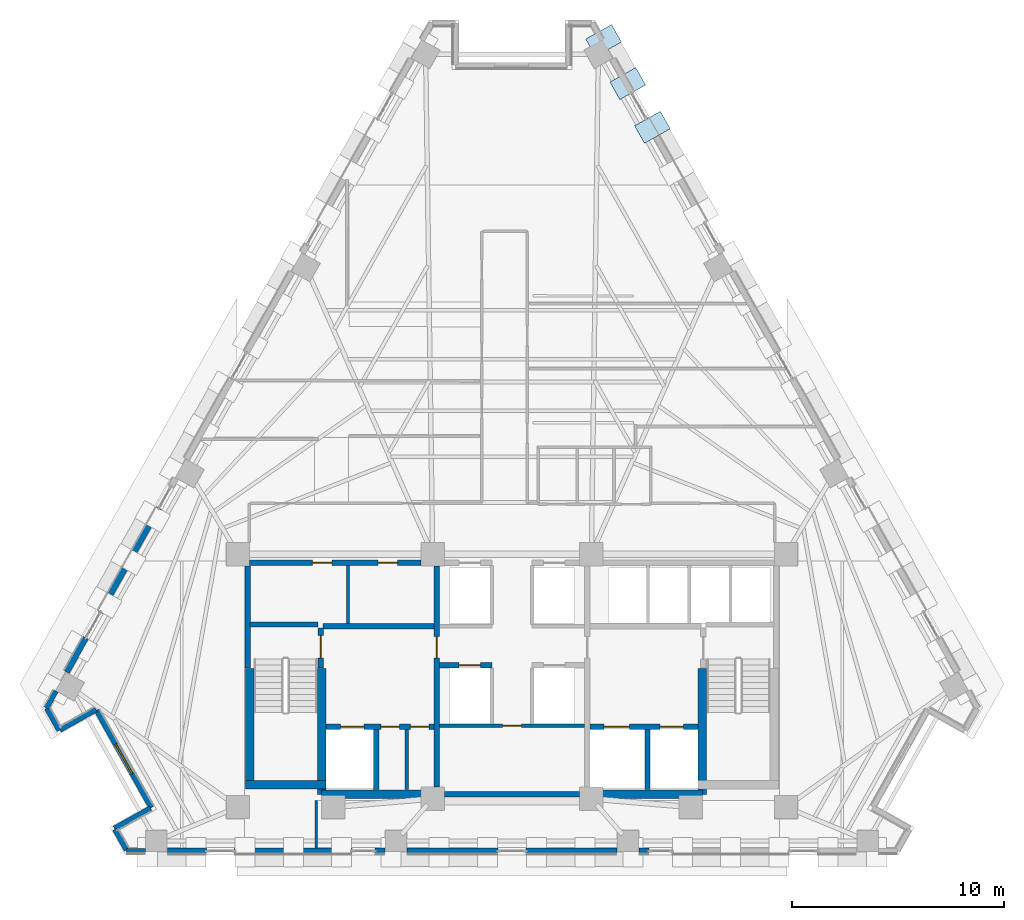
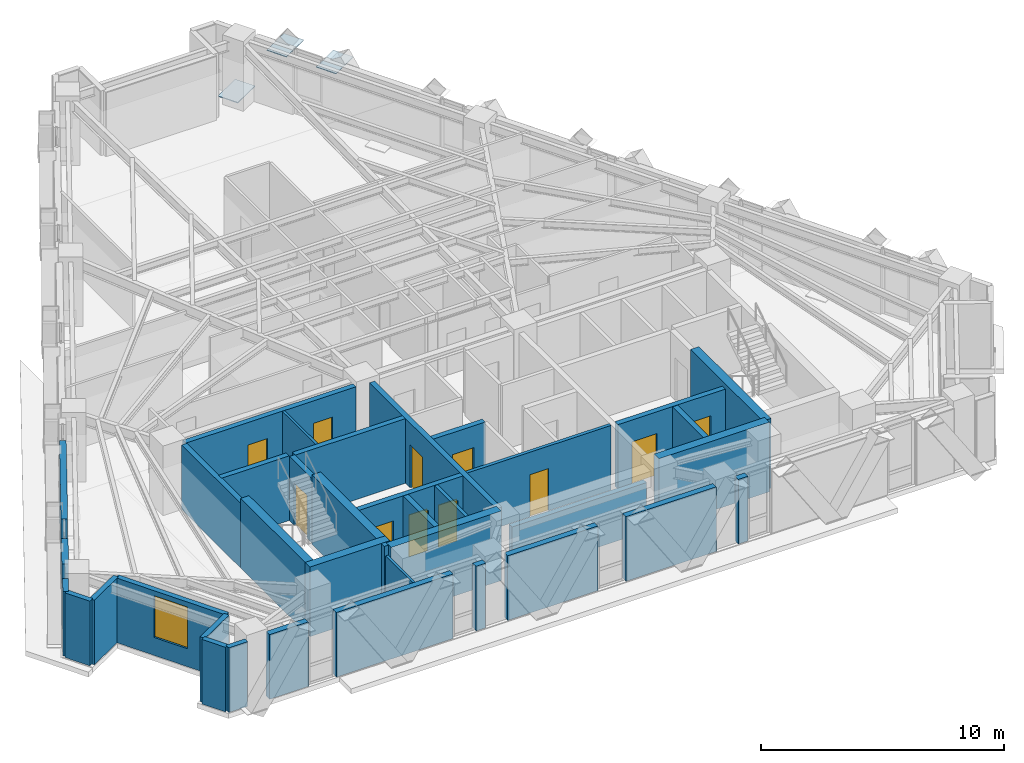
# One storey, part 7 of 13: 37 walls, 11 doors, 3 plates, 1 window, 12 openings.
"""IFC4 building model written with IfcOpenShell, lengths in metres."""

from ifc_helpers import new_model, si_unit, direction, frame, frame_2d, origin, origin_2d, place, context, subcontext, project, spatial, rectangle, extrude, material, layer, layer_set, type_object, element, fill, save


model = new_model("IFC4")

# Units and contexts
model_context = context("Model", 3, precision=1e-05, world=origin(), true_north=direction((0.0, 1.0)))
body_context = subcontext(model_context, "Body", "Model", "MODEL_VIEW")
ifc_project = project(units=[si_unit("LENGTHUNIT", "METRE"), si_unit("AREAUNIT", "SQUARE_METRE"), si_unit("VOLUMEUNIT", "CUBIC_METRE"), si_unit("PLANEANGLEUNIT", "RADIAN"), si_unit("MASSUNIT", "GRAM", prefix="KILO")], contexts=[model_context])

# Site, building, storey
site_placement = place(None, origin())
site = spatial("IfcSite", under=ifc_project, at=site_placement, CompositionType="ELEMENT")
building_placement = place(site_placement, origin())
building = spatial("IfcBuilding", under=site, at=building_placement, Name="Quenlor Broadcast Tower", CompositionType="ELEMENT")
storey_placement = place(building_placement, frame((0.0, 0.0, 130.0)))
storey = spatial("IfcBuildingStorey", under=building, at=storey_placement, Name="L35", CompositionType="ELEMENT", Elevation=130.0)

# Plates
ifc_material_1 = material(Name="Steel S355", Category="steel")
ifc_layer_1 = layer(ifc_material_1, 0.035888671875)
ifc_layer_set_1 = layer_set([ifc_layer_1], Name="Transfer Truss Steel S355 Gusset Node Plate 1400x950x36")
plate_type = type_object("IfcPlateType", Name="Transfer Truss Steel S355 Gusset Node Plate 1400x950x36", PredefinedType="SHEET", material=ifc_layer_set_1)
for number, where, z_axis, x_axis, name in (
    (1, (4.32958984375, 19.468505859375, 0.0419921875), (0.0, 0.0, 1.0), (0.871556314255, 0.490295412055, 0.0), "L35 Lattice Tie Gusset Node NE-B0"),
    (2, (5.471923828125, 17.4375, 3.18212890625), (0.0, 0.0, 1.0), (0.871556314255, 0.490295412055, 0.0), "L35 Lattice Tie Gusset Node NE-T1"),
    (3, (6.63525390625, 15.36962890625, 3.18212890625), (0.0, 0.0, 1.0), (0.871556314255, 0.490295412055, 0.0), "L35 Lattice Tie Gusset Node NE-T2"),
):
    element("IfcPlate", number, at=place(storey_placement, frame(where, z_axis=z_axis, x_axis=x_axis)), inside=storey, type_object=plate_type, Name=name, PredefinedType="SHEET", context=body_context, shape_type="SweptSolid", body=[
        extrude(rectangle(XDim=1.39990234375, YDim=0.949951171875, at=origin_2d()), origin(), (0.0, 0.0, 1.0), 0.035888671875),
    ])

# Walls
ifc_material_2 = material(Name="Concrete C50/60", Category="concrete")
ifc_layer_2 = layer(ifc_material_2, 0.39990234375)
ifc_layer_set_2 = layer_set([ifc_layer_2], Name="Core Concrete C50/60 Shear Wall 400")
wall_type_1 = type_object("IfcWallType", Name="Core Concrete C50/60 Shear Wall 400", PredefinedType="SHEAR", material=ifc_layer_set_2)
wall_1_placement = place(storey_placement, frame((-12.60009765625, -15.699951171875, 0.0), z_axis=(0.0, 0.0, 1.0), x_axis=(1.0, 0.0, 0.0)))
element("IfcWall", 4, at=wall_1_placement, inside=storey, type_object=wall_type_1, Name="L35 Core Shear Wall WS-W1", PredefinedType="SHEAR", context=body_context, shape_type="SweptSolid", body=[
    extrude(rectangle(XDim=3.800048828125, YDim=0.39990234375, at=frame_2d((1.89990234375, 0.0))), origin(), (0.0, 0.0, 1.0), 3.5),
])
for number, where, z_axis, x_axis, name in (
    (5, (-9.0, -16.14990234375, 0.0), (0.0, 0.0, 1.0), (1.0, 0.0, 0.0), "L35 Core Shear Wall WS-W2"),
    (6, (3.75, -16.14990234375, 0.0), (0.0, 0.0, 1.0), (1.0, 0.0, 0.0), "L35 Core Shear Wall WS-E1"),
):
    element("IfcWall", number, at=place(storey_placement, frame(where, z_axis=z_axis, x_axis=x_axis)), inside=storey, type_object=wall_type_1, Name=name, PredefinedType="SHEAR", context=body_context, shape_type="SweptSolid", body=[
        extrude(rectangle(XDim=5.25, YDim=0.39990234375, at=frame_2d((2.625, 0.0))), origin(), (0.0, 0.0, 1.0), 3.5),
    ])
wall_2_placement = place(storey_placement, frame((-12.39990234375, -15.699951171875, 0.0), z_axis=(0.0, 0.0, 1.0), x_axis=(0.0, 1.0, 0.0)))
element("IfcWall", 7, at=wall_2_placement, inside=storey, type_object=wall_type_1, Name="L35 Core Shear Wall WF-W", PredefinedType="SHEAR", context=body_context, shape_type="SweptSolid", body=[
    extrude(rectangle(XDim=5.5, YDim=0.39990234375, at=frame_2d((2.75, 0.0))), origin(), (0.0, 0.0, 1.0), 3.5),
])
for number, where, z_axis, x_axis, name in (
    (8, (-9.0, -16.14990234375, 0.0), (0.0, 0.0, 1.0), (0.0, 1.0, 0.0), "L35 Core Shear Wall WI-W"),
    (9, (9.0, -16.14990234375, 0.0), (0.0, 0.0, 1.0), (0.0, 1.0, 0.0), "L35 Core Shear Wall WI-E"),
):
    element("IfcWall", number, at=place(storey_placement, frame(where, z_axis=z_axis, x_axis=x_axis)), inside=storey, type_object=wall_type_1, Name=name, PredefinedType="SHEAR", context=body_context, shape_type="SweptSolid", body=[
        extrude(rectangle(XDim=5.949951171875, YDim=0.39990234375, at=frame_2d((2.97509765625, 0.0))), origin(), (0.0, 0.0, 1.0), 3.5),
    ])

# Wall, opening, door
ifc_material_3 = material(Name="Concrete C40/50", Category="concrete")
ifc_layer_3 = layer(ifc_material_3, 0.25)
ifc_layer_set_3 = layer_set([ifc_layer_3], Name="Fire Rated Concrete C40/50 Core Wall 250")
wall_type_2 = type_object("IfcWallType", Name="Fire Rated Concrete C40/50 Core Wall 250", PredefinedType="PARTITIONING", material=ifc_layer_set_3)
wall_3_placement = place(storey_placement, frame((-9.0400390625, -10.179931640625, 0.0), z_axis=(0.0, 0.0, 1.0), x_axis=(0.0, 1.0, 0.0)))
wall_3 = element("IfcWall", 10, at=wall_3_placement, inside=storey, type_object=wall_type_2, Name="L35 Interior Wall CW-ST1-DR", PredefinedType="PARTITIONING", context=body_context, shape_type="SweptSolid", body=[
    extrude(rectangle(XDim=1.89990234375, YDim=0.25, at=frame_2d((0.949951171875, 0.0))), origin(), (0.0, 0.0, 1.0), 3.25),
])
opening_1_placement = place(wall_3_placement, frame((0.47998046875, 0.0, 0.0)))
opening_1 = element("IfcOpeningElement", 11, at=opening_1_placement, cuts=wall_3, Name="Opening FD-1", PredefinedType="OPENING", context=body_context, shape_type="SweptSolid", body=[
    extrude(rectangle(XDim=1.050048828125, YDim=2.14990234375, at=frame_2d((0.52490234375, 1.074951171875))), frame((0.0, 0.135009765625, 0.0), z_axis=(0.0, -1.0, 0.0), x_axis=(1.0, 0.0, 0.0)), (0.0, 0.0, 1.0), 0.27001953125),
])
ifc_material_4 = material(Name="Fire Rated Steel Door Leaf", Category="steel")
door_type_1 = type_object("IfcDoorType", Name="Fire Isolated Stair Door 1050x2150", OperationType="NOTDEFINED", PredefinedType="DOOR", material=ifc_material_4)
door_1_placement = place(opening_1_placement, origin())
door_1 = element("IfcDoor", 12, at=door_1_placement, inside=storey, type_object=door_type_1, Name="L35 Door DR-ST1", OperationType="SINGLE_SWING_LEFT", OverallHeight=2.14990234375, OverallWidth=1.050048828125, PredefinedType="DOOR", context=body_context, shape_type="SweptSolid", body=[
    extrude(rectangle(XDim=1.050048828125, YDim=2.14990234375, at=frame_2d((0.52490234375, 1.074951171875))), frame((0.0, 0.02490234375, 0.0), z_axis=(0.0, -1.0, 0.0), x_axis=(1.0, 0.0, 0.0)), (0.0, 0.0, 1.0), 0.050048828125),
])
fill(opening_1, door_1)

# Walls
wall_4_placement = place(storey_placement, frame((-12.3798828125, -8.1201171875, 0.0), z_axis=(0.0, 0.0, 1.0), x_axis=(1.0, 0.0, 0.0)))
element("IfcWall", 13, at=wall_4_placement, inside=storey, type_object=wall_type_2, Name="L35 Interior Wall CW-ST1-N", PredefinedType="PARTITIONING", context=body_context, shape_type="SweptSolid", body=[
    extrude(rectangle(XDim=3.219970703125, YDim=0.25, at=frame_2d((1.60986328125, 0.0))), origin(), (0.0, 0.0, 1.0), 3.25),
])
wall_5_placement = place(storey_placement, frame((-12.47998046875, -10.179931640625, 0.0), z_axis=(0.0, 0.0, 1.0), x_axis=(0.0, 1.0, 0.0)))
element("IfcWall", 14, at=wall_5_placement, inside=storey, type_object=wall_type_2, Name="L35 Interior Wall CW-ST1-W2", PredefinedType="PARTITIONING", context=body_context, shape_type="SweptSolid", body=[
    extrude(rectangle(XDim=4.827880859375, YDim=0.25, at=frame_2d((2.4140625, 0.0))), origin(), (0.0, 0.0, 1.0), 3.25),
])

# Wall, openings, doors
wall_6_placement = place(storey_placement, frame((-8.798095703125, -12.949951171875, 0.0), z_axis=(0.0, 0.0, 1.0), x_axis=(1.0, 0.0, 0.0)))
wall_6 = element("IfcWall", 15, at=wall_6_placement, inside=storey, type_object=wall_type_2, Name="L35 Interior Wall CW-FFW-S", PredefinedType="PARTITIONING", context=body_context, shape_type="SweptSolid", body=[
    extrude(rectangle(XDim=5.1181640625, YDim=0.25, at=frame_2d((2.55908203125, 0.0))), origin(), (0.0, 0.0, 1.0), 3.25),
])
opening_2_placement = place(wall_6_placement, frame((0.697998046875, 0.0, 0.0)))
opening_2 = element("IfcOpeningElement", 16, at=opening_2_placement, cuts=wall_6, Name="Opening LD-FFL-1", PredefinedType="OPENING", context=body_context, shape_type="SweptSolid", body=[
    extrude(rectangle(XDim=1.10009765625, YDim=2.14990234375, at=frame_2d((0.550048828125, 1.074951171875))), frame((0.0, 0.135009765625, 0.0), z_axis=(0.0, -1.0, 0.0), x_axis=(1.0, 0.0, 0.0)), (0.0, 0.0, 1.0), 0.27001953125),
])
opening_3_placement = place(wall_6_placement, frame((2.597900390625, 0.0, 0.0)))
opening_3 = element("IfcOpeningElement", 17, at=opening_3_placement, cuts=wall_6, Name="Opening TD-1", PredefinedType="OPENING", context=body_context, shape_type="SweptSolid", body=[
    extrude(rectangle(XDim=0.8798828125, YDim=2.10009765625, at=frame_2d((0.43994140625, 1.050048828125))), frame((0.0, 0.135009765625, 0.0), z_axis=(0.0, -1.0, 0.0), x_axis=(1.0, 0.0, 0.0)), (0.0, 0.0, 1.0), 0.27001953125),
])
opening_4_placement = place(wall_6_placement, frame((3.998046875, 0.0, 0.0)))
opening_4 = element("IfcOpeningElement", 18, at=opening_4_placement, cuts=wall_6, Name="Opening TD-1", PredefinedType="OPENING", context=body_context, shape_type="SweptSolid", body=[
    extrude(rectangle(XDim=0.8798828125, YDim=2.10009765625, at=frame_2d((0.43994140625, 1.050048828125))), frame((0.0, 0.135009765625, 0.0), z_axis=(0.0, -1.0, 0.0), x_axis=(1.0, 0.0, 0.0)), (0.0, 0.0, 1.0), 0.27001953125),
])
ifc_material_5 = material(Name="Brushed Stainless Steel", Category="steel")
door_type_2 = type_object("IfcDoorType", Name="Emergency Lift Sliding Landing Door 1100x2150", OperationType="NOTDEFINED", PredefinedType="DOOR", material=ifc_material_5)
door_2_placement = place(opening_2_placement, origin())
door_2 = element("IfcDoor", 19, at=door_2_placement, inside=storey, type_object=door_type_2, Name="L35 Door LD-FFL-1", OperationType="SLIDING_TO_LEFT", OverallHeight=2.14990234375, OverallWidth=1.10009765625, PredefinedType="DOOR", context=body_context, shape_type="SweptSolid", body=[
    extrude(rectangle(XDim=1.10009765625, YDim=2.14990234375, at=frame_2d((0.550048828125, 1.074951171875))), frame((0.0, 0.02490234375, 0.0), z_axis=(0.0, -1.0, 0.0), x_axis=(1.0, 0.0, 0.0)), (0.0, 0.0, 1.0), 0.050048828125),
])
fill(opening_2, door_2)
ifc_material_6 = material(Name="Fire Rated Steel Access Panel", Category="steel")
door_type_3 = type_object("IfcDoorType", Name="Riser Shaft Rated Access Trapdoor 880x2100", OperationType="NOTDEFINED", PredefinedType="TRAPDOOR", material=ifc_material_6)
door_3_placement = place(opening_3_placement, origin())
door_3 = element("IfcDoor", 20, at=door_3_placement, inside=storey, type_object=door_type_3, Name="L35 Door DR-ELR", OperationType="SINGLE_SWING_LEFT", OverallHeight=2.10009765625, OverallWidth=0.8798828125, PredefinedType="TRAPDOOR", context=body_context, shape_type="SweptSolid", body=[
    extrude(rectangle(XDim=0.8798828125, YDim=2.10009765625, at=frame_2d((0.43994140625, 1.050048828125))), frame((0.0, 0.02490234375, 0.0), z_axis=(0.0, -1.0, 0.0), x_axis=(1.0, 0.0, 0.0)), (0.0, 0.0, 1.0), 0.050048828125),
])
fill(opening_3, door_3)
door_4_placement = place(opening_4_placement, origin())
door_4 = element("IfcDoor", 21, at=door_4_placement, inside=storey, type_object=door_type_3, Name="L35 Door DR-CMR", OperationType="SINGLE_SWING_RIGHT", OverallHeight=2.10009765625, OverallWidth=0.8798828125, PredefinedType="TRAPDOOR", context=body_context, shape_type="SweptSolid", body=[
    extrude(rectangle(XDim=0.8798828125, YDim=2.10009765625, at=frame_2d((0.43994140625, 1.050048828125))), frame((0.0, 0.02490234375, 0.0), z_axis=(0.0, -1.0, 0.0), x_axis=(1.0, 0.0, 0.0)), (0.0, 0.0, 1.0), 0.050048828125),
])
fill(opening_4, door_4)

wall_7_placement = place(storey_placement, frame((3.679931640625, -12.949951171875, 0.0), z_axis=(0.0, 0.0, 1.0), x_axis=(1.0, 0.0, 0.0)))
wall_7 = element("IfcWall", 22, at=wall_7_placement, inside=storey, type_object=wall_type_2, Name="L35 Interior Wall CW-FFE-S", PredefinedType="PARTITIONING", context=body_context, shape_type="SweptSolid", body=[
    extrude(rectangle(XDim=5.1181640625, YDim=0.25, at=frame_2d((2.55908203125, 0.0))), origin(), (0.0, 0.0, 1.0), 3.25),
])
opening_5_placement = place(wall_7_placement, frame((3.320068359375, 0.0, 0.0)))
opening_5 = element("IfcOpeningElement", 23, at=opening_5_placement, cuts=wall_7, Name="Opening LD-FFL-2", PredefinedType="OPENING", context=body_context, shape_type="SweptSolid", body=[
    extrude(rectangle(XDim=1.10009765625, YDim=2.14990234375, at=frame_2d((0.550048828125, 1.074951171875))), frame((0.0, 0.135009765625, 0.0), z_axis=(0.0, -1.0, 0.0), x_axis=(1.0, 0.0, 0.0)), (0.0, 0.0, 1.0), 0.27001953125),
])
opening_6_placement = place(wall_7_placement, frame((0.669921875, 0.0, 0.0)))
opening_6 = element("IfcOpeningElement", 24, at=opening_6_placement, cuts=wall_7, Name="Opening LD-SVL-1", PredefinedType="OPENING", context=body_context, shape_type="SweptSolid", body=[
    extrude(rectangle(XDim=1.199951171875, YDim=2.14990234375, at=frame_2d((0.60009765625, 1.074951171875))), frame((0.0, 0.135009765625, 0.0), z_axis=(0.0, -1.0, 0.0), x_axis=(1.0, 0.0, 0.0)), (0.0, 0.0, 1.0), 0.27001953125),
])
door_5_placement = place(opening_5_placement, origin())
door_5 = element("IfcDoor", 25, at=door_5_placement, inside=storey, type_object=door_type_2, Name="L35 Door LD-FFL-2", OperationType="SLIDING_TO_RIGHT", OverallHeight=2.14990234375, OverallWidth=1.10009765625, PredefinedType="DOOR", context=body_context, shape_type="SweptSolid", body=[
    extrude(rectangle(XDim=1.10009765625, YDim=2.14990234375, at=frame_2d((0.550048828125, 1.074951171875))), frame((0.0, 0.02490234375, 0.0), z_axis=(0.0, -1.0, 0.0), x_axis=(1.0, 0.0, 0.0)), (0.0, 0.0, 1.0), 0.050048828125),
])
fill(opening_5, door_5)
ifc_material_7 = material(Name="Brushed Stainless Steel", Category="steel")
door_type_4 = type_object("IfcDoorType", Name="Goods Lift Sliding Landing Door 1200x2150", OperationType="NOTDEFINED", PredefinedType="DOOR", material=ifc_material_7)
door_6_placement = place(opening_6_placement, origin())
door_6 = element("IfcDoor", 26, at=door_6_placement, inside=storey, type_object=door_type_4, Name="L35 Door LD-SVL-1", OperationType="SLIDING_TO_LEFT", OverallHeight=2.14990234375, OverallWidth=1.199951171875, PredefinedType="DOOR", context=body_context, shape_type="SweptSolid", body=[
    extrude(rectangle(XDim=1.199951171875, YDim=2.14990234375, at=frame_2d((0.60009765625, 1.074951171875))), frame((0.0, 0.02490234375, 0.0), z_axis=(0.0, -1.0, 0.0), x_axis=(1.0, 0.0, 0.0)), (0.0, 0.0, 1.0), 0.050048828125),
])
fill(opening_6, door_6)

# Walls
for number, where, z_axis, x_axis, name in (
    (27, (-6.419921875, -15.919921875, 0.0), (0.0, 0.0, 1.0), (0.0, 1.0, 0.0), "L35 Interior Wall CW-FF1-E"),
    (28, (6.39990234375, -15.919921875, 0.0), (0.0, 0.0, 1.0), (0.0, 1.0, 0.0), "L35 Interior Wall CW-SV1-E"),
):
    element("IfcWall", number, at=place(storey_placement, frame(where, z_axis=z_axis, x_axis=x_axis)), inside=storey, type_object=wall_type_2, Name=name, PredefinedType="PARTITIONING", context=body_context, shape_type="SweptSolid", body=[
        extrude(rectangle(XDim=2.829833984375, YDim=0.25, at=frame_2d((1.4150390625, 0.0))), origin(), (0.0, 0.0, 1.0), 3.25),
    ])
wall_8_placement = place(storey_placement, frame((-8.919921875, -8.199951171875, 0.0), z_axis=(0.0, 0.0, 1.0), x_axis=(1.0, 0.0, 0.0)))
element("IfcWall", 29, at=wall_8_placement, inside=storey, type_object=wall_type_2, Name="L35 Interior Wall CW-FFW-N", PredefinedType="PARTITIONING", context=body_context, shape_type="SweptSolid", body=[
    extrude(rectangle(XDim=5.239990234375, YDim=0.25, at=frame_2d((2.6201171875, 0.0))), origin(), (0.0, 0.0, 1.0), 3.25),
])

# Wall, opening, door
wall_9_placement = place(storey_placement, frame((-3.550048828125, -15.798095703125, 0.0), z_axis=(0.0, 0.0, 1.0), x_axis=(0.0, 1.0, 0.0)))
wall_9 = element("IfcWall", 30, at=wall_9_placement, inside=storey, type_object=wall_type_2, Name="L35 Interior Wall CW-FFW-E", PredefinedType="PARTITIONING", context=body_context, shape_type="SweptSolid", body=[
    extrude(rectangle(XDim=10.446044921875, YDim=0.25, at=frame_2d((5.22314453125, 0.0))), origin(), (0.0, 0.0, 1.0), 3.25),
])
opening_7_placement = place(wall_9_placement, frame((6.097900390625, 0.0, 0.0)))
opening_7 = element("IfcOpeningElement", 31, at=opening_7_placement, cuts=wall_9, Name="Opening FD-2", PredefinedType="OPENING", context=body_context, shape_type="SweptSolid", body=[
    extrude(rectangle(XDim=1.0, YDim=2.14990234375, at=frame_2d((0.5, 1.074951171875))), frame((0.0, 0.135009765625, 0.0), z_axis=(0.0, -1.0, 0.0), x_axis=(1.0, 0.0, 0.0)), (0.0, 0.0, 1.0), 0.27001953125),
])
ifc_material_8 = material(Name="Fire Rated Glazed Steel Door", Category="steel")
door_type_5 = type_object("IfcDoorType", Name="Firefighting Lobby Smoke Door 1000x2150", OperationType="NOTDEFINED", PredefinedType="DOOR", material=ifc_material_8)
door_7_placement = place(opening_7_placement, origin())
door_7 = element("IfcDoor", 32, at=door_7_placement, inside=storey, type_object=door_type_5, Name="L35 Door DR-FFLW", OperationType="SINGLE_SWING_RIGHT", OverallHeight=2.14990234375, OverallWidth=1.0, PredefinedType="DOOR", context=body_context, shape_type="SweptSolid", body=[
    extrude(rectangle(XDim=1.0, YDim=2.14990234375, at=frame_2d((0.5, 1.074951171875))), frame((0.0, 0.02490234375, 0.0), z_axis=(0.0, -1.0, 0.0), x_axis=(1.0, 0.0, 0.0)), (0.0, 0.0, 1.0), 0.050048828125),
])
fill(opening_7, door_7)

# Wall, openings, doors
wall_10_placement = place(storey_placement, frame((-12.39794921875, -5.199951171875, 0.0), z_axis=(0.0, 0.0, 1.0), x_axis=(1.0, 0.0, 0.0)))
wall_10 = element("IfcWall", 33, at=wall_10_placement, inside=storey, type_object=wall_type_2, Name="L35 Interior Wall CW-N-W", PredefinedType="PARTITIONING", context=body_context, shape_type="SweptSolid", body=[
    extrude(rectangle(XDim=8.095947265625, YDim=0.25, at=frame_2d((4.0478515625, 0.0))), origin(), (0.0, 0.0, 1.0), 3.25),
])
opening_8_placement = place(wall_10_placement, frame((2.968017578125, 0.0, 0.0)))
opening_8 = element("IfcOpeningElement", 34, at=opening_8_placement, cuts=wall_10, Name="Opening ID-1", PredefinedType="OPENING", context=body_context, shape_type="SweptSolid", body=[
    extrude(rectangle(XDim=0.919921875, YDim=2.1201171875, at=frame_2d((0.4599609375, 1.06005859375))), frame((0.0, 0.135009765625, 0.0), z_axis=(0.0, -1.0, 0.0), x_axis=(1.0, 0.0, 0.0)), (0.0, 0.0, 1.0), 0.27001953125),
])
opening_9_placement = place(wall_10_placement, frame((6.068115234375, 0.0, 0.0)))
opening_9 = element("IfcOpeningElement", 35, at=opening_9_placement, cuts=wall_10, Name="Opening ID-1", PredefinedType="OPENING", context=body_context, shape_type="SweptSolid", body=[
    extrude(rectangle(XDim=0.919921875, YDim=2.1201171875, at=frame_2d((0.4599609375, 1.06005859375))), frame((0.0, 0.135009765625, 0.0), z_axis=(0.0, -1.0, 0.0), x_axis=(1.0, 0.0, 0.0)), (0.0, 0.0, 1.0), 0.27001953125),
])
ifc_material_9 = material(Name="Solid Core Timber Oak", Category="wood")
door_type_6 = type_object("IfcDoorType", Name="Single Leaf Timber Office Door 920x2120", OperationType="NOTDEFINED", PredefinedType="DOOR", material=ifc_material_9)
door_8_placement = place(opening_8_placement, origin())
door_8 = element("IfcDoor", 36, at=door_8_placement, inside=storey, type_object=door_type_6, Name="L35 Door DR-RCL1", OperationType="SINGLE_SWING_LEFT", OverallHeight=2.1201171875, OverallWidth=0.919921875, PredefinedType="DOOR", context=body_context, shape_type="SweptSolid", body=[
    extrude(rectangle(XDim=0.919921875, YDim=2.1201171875, at=frame_2d((0.4599609375, 1.06005859375))), frame((0.0, 0.02490234375, 0.0), z_axis=(0.0, -1.0, 0.0), x_axis=(1.0, 0.0, 0.0)), (0.0, 0.0, 1.0), 0.050048828125),
])
fill(opening_8, door_8)
door_9_placement = place(opening_9_placement, origin())
door_9 = element("IfcDoor", 37, at=door_9_placement, inside=storey, type_object=door_type_6, Name="L35 Door DR-RCL2", OperationType="SINGLE_SWING_RIGHT", OverallHeight=2.1201171875, OverallWidth=0.919921875, PredefinedType="DOOR", context=body_context, shape_type="SweptSolid", body=[
    extrude(rectangle(XDim=0.919921875, YDim=2.1201171875, at=frame_2d((0.4599609375, 1.06005859375))), frame((0.0, 0.02490234375, 0.0), z_axis=(0.0, -1.0, 0.0), x_axis=(1.0, 0.0, 0.0)), (0.0, 0.0, 1.0), 0.050048828125),
])
fill(opening_9, door_9)

# Wall
wall_11_placement = place(storey_placement, frame((-3.197998046875, -16.14990234375, 0.0), z_axis=(0.0, 0.0, 1.0), x_axis=(1.0, 0.0, 0.0)))
element("IfcWall", 38, at=wall_11_placement, inside=storey, type_object=wall_type_2, Name="L35 Interior Wall CW-MS-S", PredefinedType="PARTITIONING", context=body_context, shape_type="SweptSolid", body=[
    extrude(rectangle(XDim=6.39599609375, YDim=0.25, at=frame_2d((3.197998046875, 0.0))), origin(), (0.0, 0.0, 1.0), 2.449951171875),
])

# Wall, opening, door
wall_12_placement = place(storey_placement, frame((-3.419921875, -10.050048828125, 0.0), z_axis=(0.0, 0.0, 1.0), x_axis=(1.0, 0.0, 0.0)))
wall_12 = element("IfcWall", 39, at=wall_12_placement, inside=storey, type_object=wall_type_2, Name="L35 Interior Wall CW-MS-N1", PredefinedType="PARTITIONING", context=body_context, shape_type="SweptSolid", body=[
    extrude(rectangle(XDim=2.469970703125, YDim=0.25, at=frame_2d((1.23486328125, 0.0))), origin(), (0.0, 0.0, 1.0), 3.25),
])
opening_10_placement = place(wall_12_placement, frame((0.919921875, 0.0, 0.0)))
opening_10 = element("IfcOpeningElement", 40, at=opening_10_placement, cuts=wall_12, Name="Opening LD-PL-M3", PredefinedType="OPENING", context=body_context, shape_type="SweptSolid", body=[
    extrude(rectangle(XDim=1.0, YDim=2.14990234375, at=frame_2d((0.5, 1.074951171875))), frame((0.0, 0.135009765625, 0.0), z_axis=(0.0, -1.0, 0.0), x_axis=(1.0, 0.0, 0.0)), (0.0, 0.0, 1.0), 0.27001953125),
])
ifc_material_10 = material(Name="Brushed Stainless Steel", Category="steel")
door_type_7 = type_object("IfcDoorType", Name="Passenger Lift Sliding Landing Door 1000x2150", OperationType="NOTDEFINED", PredefinedType="DOOR", material=ifc_material_10)
door_10_placement = place(opening_10_placement, origin())
door_10 = element("IfcDoor", 41, at=door_10_placement, inside=storey, type_object=door_type_7, Name="L35 Door LD-PL-M3", OperationType="SLIDING_TO_LEFT", OverallHeight=2.14990234375, OverallWidth=1.0, PredefinedType="DOOR", context=body_context, shape_type="SweptSolid", body=[
    extrude(rectangle(XDim=1.0, YDim=2.14990234375, at=frame_2d((0.5, 1.074951171875))), frame((0.0, 0.02490234375, 0.0), z_axis=(0.0, -1.0, 0.0), x_axis=(1.0, 0.0, 0.0)), (0.0, 0.0, 1.0), 0.050048828125),
])
fill(opening_10, door_10)

# Wall
ifc_material_11 = material(Name="Gypsum Fireboard Partition", Category="other")
ifc_layer_4 = layer(ifc_material_11, 0.159912109375)
ifc_layer_set_4 = layer_set([ifc_layer_4], Name="Fire Rated Shaft and Corridor Partition 160")
wall_type_3 = type_object("IfcWallType", Name="Fire Rated Shaft and Corridor Partition 160", PredefinedType="PARTITIONING", material=ifc_layer_set_4)
wall_13_placement = place(storey_placement, frame((-4.97998046875, -15.919921875, 0.0), z_axis=(0.0, 0.0, 1.0), x_axis=(0.0, 1.0, 0.0)))
element("IfcWall", 42, at=wall_13_placement, inside=storey, type_object=wall_type_3, Name="L35 Interior Wall CW-ELR-E", PredefinedType="PARTITIONING", context=body_context, shape_type="SweptSolid", body=[
    extrude(rectangle(XDim=2.829833984375, YDim=0.159912109375, at=frame_2d((1.4150390625, 0.0))), origin(), (0.0, 0.0, 1.0), 3.25),
])

# Wall, opening, door
wall_14_placement = place(storey_placement, frame((-3.419921875, -12.89990234375, 0.0), z_axis=(0.0, 0.0, 1.0), x_axis=(1.0, 0.0, 0.0)))
wall_14 = element("IfcWall", 43, at=wall_14_placement, inside=storey, type_object=wall_type_3, Name="L35 Interior Wall CW-MS-B", PredefinedType="PARTITIONING", context=body_context, shape_type="SweptSolid", body=[
    extrude(rectangle(XDim=6.83984375, YDim=0.159912109375, at=frame_2d((3.419921875, 0.0))), origin(), (0.0, 0.0, 1.0), 3.25),
])
opening_11_placement = place(wall_14_placement, frame((2.97998046875, 0.0, 0.0)))
opening_11 = element("IfcOpeningElement", 44, at=opening_11_placement, cuts=wall_14, Name="Opening ID-4", PredefinedType="OPENING", context=body_context, shape_type="SweptSolid", body=[
    extrude(rectangle(XDim=0.8798828125, YDim=2.1201171875, at=frame_2d((0.43994140625, 1.06005859375))), frame((0.0, 0.08984375, 0.0), z_axis=(0.0, -1.0, 0.0), x_axis=(1.0, 0.0, 0.0)), (0.0, 0.0, 1.0), 0.179931640625),
])
ifc_material_12 = material(Name="Solid Core Timber Oak", Category="wood")
door_type_8 = type_object("IfcDoorType", Name="Service Closet Timber Door 880x2120", OperationType="NOTDEFINED", PredefinedType="DOOR", material=ifc_material_12)
door_11_placement = place(opening_11_placement, origin())
door_11 = element("IfcDoor", 45, at=door_11_placement, inside=storey, type_object=door_type_8, Name="L35 Door DR-CSV0", OperationType="SINGLE_SWING_LEFT", OverallHeight=2.1201171875, OverallWidth=0.8798828125, PredefinedType="DOOR", context=body_context, shape_type="SweptSolid", body=[
    extrude(rectangle(XDim=0.8798828125, YDim=2.1201171875, at=frame_2d((0.43994140625, 1.06005859375))), frame((0.0, 0.02490234375, 0.0), z_axis=(0.0, -1.0, 0.0), x_axis=(1.0, 0.0, 0.0)), (0.0, 0.0, 1.0), 0.050048828125),
])
fill(opening_11, door_11)

# Walls
ifc_material_13 = material(Name="Gypsum Plasterboard Partition", Category="other")
ifc_layer_5 = layer(ifc_material_13, 0.1201171875)
ifc_layer_set_5 = layer_set([ifc_layer_5], Name="Standard Office Partition 120")
wall_type_4 = type_object("IfcWallType", Name="Standard Office Partition 120", PredefinedType="PARTITIONING", material=ifc_layer_set_5)
wall_15_placement = place(storey_placement, frame((-7.75, -8.072998046875, 0.0), z_axis=(0.0, 0.0, 1.0), x_axis=(0.0, 1.0, 0.0)))
element("IfcWall", 46, at=wall_15_placement, inside=storey, type_object=wall_type_4, Name="L35 Interior Wall CW-RCL-MID", PredefinedType="PARTITIONING", context=body_context, shape_type="SweptSolid", body=[
    extrude(rectangle(XDim=2.73291015625, YDim=0.1201171875, at=frame_2d((1.366455078125, 0.0))), origin(), (0.0, 0.0, 1.0), 3.25),
])
wall_16_placement = place(storey_placement, frame((-9.249267578125, -16.449951171875, 0.0), z_axis=(0.0, 0.0, 1.0), x_axis=(0.0, -1.0, 0.0)))
element("IfcWall", 47, at=wall_16_placement, inside=storey, type_object=wall_type_4, Name="L35 Interior Wall PW-DV-09", PredefinedType="PARTITIONING", context=body_context, shape_type="SweptSolid", body=[
    extrude(rectangle(XDim=2.233154296875, YDim=0.1201171875, at=frame_2d((1.11669921875, 0.0))), origin(), (0.0, 0.0, 1.0), 3.25),
])
ifc_material_14 = material(Name="Precast concrete C40/50", Category="concrete")
ifc_layer_6 = layer(ifc_material_14, 0.239990234375)
ifc_layer_set_6 = layer_set([ifc_layer_6], Name="Terrace Threshold Precast Concrete C40/50 Wall 240")
wall_type_5 = type_object("IfcWallType", Name="Terrace Threshold Precast Concrete C40/50 Wall 240", PredefinedType="STANDARD", material=ifc_layer_set_6)
wall_17_placement = place(storey_placement, frame((-17.3134765625, -18.824951171875, 0.0), z_axis=(0.0, 0.0, 1.0), x_axis=(-1.0, 0.0, 0.0)))
element("IfcWall", 48, at=wall_17_placement, inside=storey, type_object=wall_type_5, Name="L35 Exterior Wall L35-SHD-SS1", PredefinedType="STANDARD", context=body_context, shape_type="SweptSolid", body=[
    extrude(rectangle(XDim=0.896484375, YDim=0.239990234375, at=frame_2d((0.4482421875, 0.0))), origin(), (0.0, 0.0, 1.0), 3.25),
])
wall_18_placement = place(storey_placement, frame((-22.003173828125, -12.073486328125, 0.0), z_axis=(0.0, 0.0, 1.0), x_axis=(0.490248718924, 0.871582579905, 0.0)))
element("IfcWall", 49, at=wall_18_placement, inside=storey, type_object=wall_type_5, Name="L35 Exterior Wall L35-SHD-NWS0", PredefinedType="STANDARD", context=body_context, shape_type="SweptSolid", body=[
    extrude(rectangle(XDim=0.92578125, YDim=0.239990234375, at=frame_2d((0.462890625, 0.0))), origin(), (0.0, 0.0, 1.0), 3.25),
])
wall_19_placement = place(storey_placement, frame((-21.976806640625, -12.08349609375, 0.0), z_axis=(0.0, 0.0, 1.0), x_axis=(0.490154352582, -0.871635652463, 0.0)))
element("IfcWall", 50, at=wall_19_placement, inside=storey, type_object=wall_type_5, Name="L35 Exterior Wall L35-CNR-12", PredefinedType="STANDARD", context=body_context, shape_type="SweptSolid", body=[
    extrude(rectangle(XDim=1.19287109375, YDim=0.239990234375, at=frame_2d((0.596435546875, 0.0))), origin(), (0.0, 0.0, 1.0), 3.25),
])
wall_20_placement = place(storey_placement, frame((-21.357421875, -13.103515625, 0.0), z_axis=(0.0, 0.0, 1.0), x_axis=(0.871595493845, 0.490225759328, 0.0)))
element("IfcWall", 51, at=wall_20_placement, inside=storey, type_object=wall_type_5, Name="L35 Exterior Wall L35-CNR-13", PredefinedType="STANDARD", context=body_context, shape_type="SweptSolid", body=[
    extrude(rectangle(XDim=1.960205078125, YDim=0.239990234375, at=frame_2d((0.97998046875, 0.0))), origin(), (0.0, 0.0, 1.0), 3.25),
])

# Wall, opening, window
wall_21_placement = place(storey_placement, frame((-19.62939453125, -12.177490234375, 0.0), z_axis=(0.0, 0.0, 1.0), x_axis=(0.490276606961, -0.871566892824, 0.0)))
wall_21 = element("IfcWall", 52, at=wall_21_placement, inside=storey, type_object=wall_type_5, Name="L35 Exterior Wall L35-CNR-14", PredefinedType="STANDARD", context=body_context, shape_type="SweptSolid", body=[
    extrude(rectangle(XDim=5.280029296875, YDim=0.239990234375, at=frame_2d((2.64013671875, 0.0))), origin(), (0.0, 0.0, 1.0), 3.25),
])
opening_12_placement = place(wall_21_placement, frame((1.840087890625, 0.0, 0.89990234375)))
opening_12 = element("IfcOpeningElement", 53, at=opening_12_placement, cuts=wall_21, Name="Opening WN-2", PredefinedType="OPENING", context=body_context, shape_type="SweptSolid", body=[
    extrude(rectangle(XDim=1.60009765625, YDim=2.10009765625, at=frame_2d((0.800048828125, 1.050048828125))), frame((0.0, 0.1298828125, 0.0), z_axis=(0.0, -1.0, 0.0), x_axis=(1.0, 0.0, 0.0)), (0.0, 0.0, 1.0), 0.260009765625),
])
ifc_material_15 = material(Name="Thermally Broken Aluminium and Low-E Glass", Category="aluminium")
window_type = type_object("IfcWindowType", Name="Tower Studio Punched Window 1600x2100", PartitioningType="SINGLE_PANEL", PredefinedType="WINDOW", material=ifc_material_15)
window_placement = place(opening_12_placement, origin())
window = element("IfcWindow", 54, at=window_placement, inside=storey, type_object=window_type, Name="L35 Corner Chamfer Window 14", OverallHeight=2.10009765625, OverallWidth=1.60009765625, PartitioningType="SINGLE_PANEL", PredefinedType="WINDOW", context=body_context, shape_type="SweptSolid", body=[
    extrude(rectangle(XDim=1.60009765625, YDim=2.10009765625, at=frame_2d((0.800048828125, 1.050048828125))), frame((0.0, 0.030029296875, 0.0), z_axis=(0.0, -1.0, 0.0), x_axis=(1.0, 0.0, 0.0)), (0.0, 0.0, 1.0), 0.06005859375),
])
fill(opening_12, window)

# Walls
wall_22_placement = place(storey_placement, frame((-17.07568359375, -16.799072265625, 0.0), z_axis=(0.0, 0.0, 1.0), x_axis=(-0.871565557139, -0.490278981406, 0.0)))
element("IfcWall", 55, at=wall_22_placement, inside=storey, type_object=wall_type_5, Name="L35 Exterior Wall L35-CNR-15", PredefinedType="STANDARD", context=body_context, shape_type="SweptSolid", body=[
    extrude(rectangle(XDim=1.9599609375, YDim=0.239990234375, at=frame_2d((0.97998046875, 0.0))), origin(), (0.0, 0.0, 1.0), 3.25),
])
wall_23_placement = place(storey_placement, frame((-18.764404296875, -17.794921875, 0.0), z_axis=(0.0, 0.0, 1.0), x_axis=(0.490353621339, -0.871523565969, 0.0)))
element("IfcWall", 56, at=wall_23_placement, inside=storey, type_object=wall_type_5, Name="L35 Exterior Wall L35-CNR-16", PredefinedType="STANDARD", context=body_context, shape_type="SweptSolid", body=[
    extrude(rectangle(XDim=1.129150390625, YDim=0.239990234375, at=frame_2d((0.564453125, 0.0))), origin(), (0.0, 0.0, 1.0), 3.25),
])
ifc_material_16 = material(Name="Precast concrete C40/50", Category="concrete")
ifc_layer_7 = layer(ifc_material_16, 0.280029296875)
ifc_layer_set_7 = layer_set([ifc_layer_7], Name="Terracotta Precast Concrete C40/50 Facade Wall 280")
wall_type_6 = type_object("IfcWallType", Name="Terracotta Precast Concrete C40/50 Facade Wall 280", PredefinedType="STANDARD", material=ifc_layer_set_7)
for number, where, z_axis, x_axis, name in (
    (57, (6.466064453125, -18.824951171875, 0.0), (0.0, 0.0, 1.0), (-1.0, 0.0, 0.0), "L35 Exterior Wall L35-SA-SP3"),
    (58, (-6.006103515625, -18.824951171875, 0.0), (0.0, 0.0, 1.0), (-1.0, 0.0, 0.0), "L35 Exterior Wall L35-SC-SP1"),
):
    element("IfcWall", number, at=place(storey_placement, frame(where, z_axis=z_axis, x_axis=x_axis)), inside=storey, type_object=wall_type_6, Name=name, PredefinedType="STANDARD", context=body_context, shape_type="SweptSolid", body=[
        extrude(rectangle(XDim=0.4599609375, YDim=0.280029296875, at=frame_2d((0.22998046875, 0.0))), origin(), (0.0, 0.0, 1.0), 3.25),
    ])
wall_24_placement = place(storey_placement, frame((-7.556884765625, -18.824951171875, 0.0), z_axis=(0.0, 0.0, 1.0), x_axis=(-1.0, 0.0, 0.0)))
element("IfcWall", 59, at=wall_24_placement, inside=storey, type_object=wall_type_6, Name="L35 Exterior Wall L35-SC-SP2", PredefinedType="STANDARD", context=body_context, shape_type="SweptSolid", body=[
    extrude(rectangle(XDim=5.550048828125, YDim=0.280029296875, at=frame_2d((2.77490234375, 0.0))), origin(), (0.0, 0.0, 1.0), 3.25),
])
wall_25_placement = place(storey_placement, frame((-14.445068359375, -18.824951171875, 0.0), z_axis=(0.0, 0.0, 1.0), x_axis=(-1.0, 0.0, 0.0)))
element("IfcWall", 60, at=wall_25_placement, inside=storey, type_object=wall_type_6, Name="L35 Exterior Wall L35-SC-SP3", PredefinedType="STANDARD", context=body_context, shape_type="SweptSolid", body=[
    extrude(rectangle(XDim=1.83837890625, YDim=0.280029296875, at=frame_2d((0.919189453125, 0.0))), origin(), (0.0, 0.0, 1.0), 3.25),
])
for number, where, z_axis, x_axis, name in (
    (61, (4.9609375, -18.824951171875, 0.0), (0.0, 0.0, 1.0), (-1.0, 0.0, 0.0), "L35 Exterior Wall L35-S-SP1"),
    (62, (-0.6689453125, -18.824951171875, 0.0), (0.0, 0.0, 1.0), (-1.0, 0.0, 0.0), "L35 Exterior Wall L35-S-SP2"),
):
    element("IfcWall", number, at=place(storey_placement, frame(where, z_axis=z_axis, x_axis=x_axis)), inside=storey, type_object=wall_type_6, Name=name, PredefinedType="STANDARD", context=body_context, shape_type="SweptSolid", body=[
        extrude(rectangle(XDim=4.2919921875, YDim=0.280029296875, at=frame_2d((2.14599609375, 0.0))), origin(), (0.0, 0.0, 1.0), 3.25),
    ])
wall_26_placement = place(storey_placement, frame((-21.044189453125, -10.368896484375, 0.0), z_axis=(0.0, 0.0, 1.0), x_axis=(0.490248749158, 0.871582562899, 0.0)))
element("IfcWall", 63, at=wall_26_placement, inside=storey, type_object=wall_type_6, Name="L35 Exterior Wall L35-NWA-SP1", PredefinedType="STANDARD", context=body_context, shape_type="SweptSolid", body=[
    extrude(rectangle(XDim=1.85595703125, YDim=0.280029296875, at=frame_2d((0.927978515625, 0.0))), origin(), (0.0, 0.0, 1.0), 3.25),
])
wall_27_placement = place(storey_placement, frame((-19.452880859375, -7.5400390625, 0.0), z_axis=(0.0, 0.0, 1.0), x_axis=(0.490238645956, 0.871588245682, 0.0)))
element("IfcWall", 64, at=wall_27_placement, inside=storey, type_object=wall_type_6, Name="L35 Exterior Wall L35-NWA-SP2", PredefinedType="STANDARD", context=body_context, shape_type="SweptSolid", body=[
    extrude(rectangle(XDim=5.643310546875, YDim=0.280029296875, at=frame_2d((2.82177734375, 0.0))), origin(), (0.0, 0.0, 1.0), 3.25),
])

save(model, "model.ifc")
